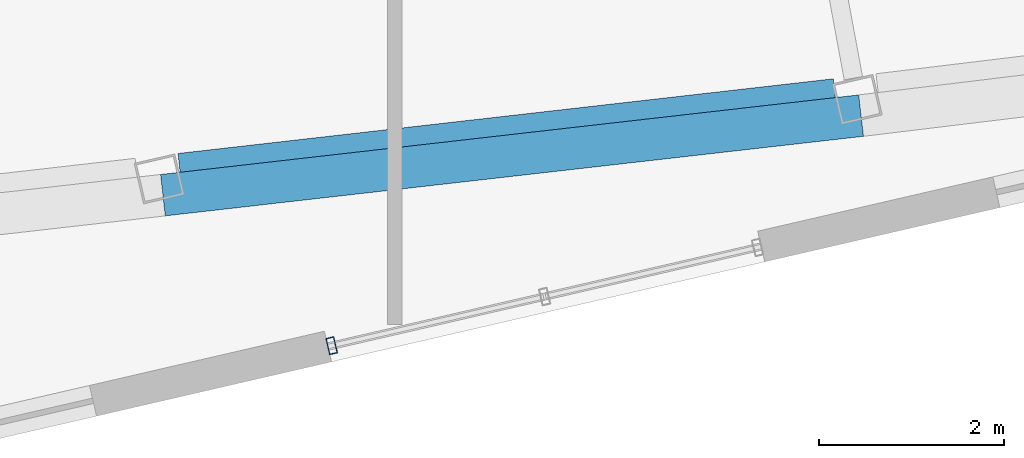
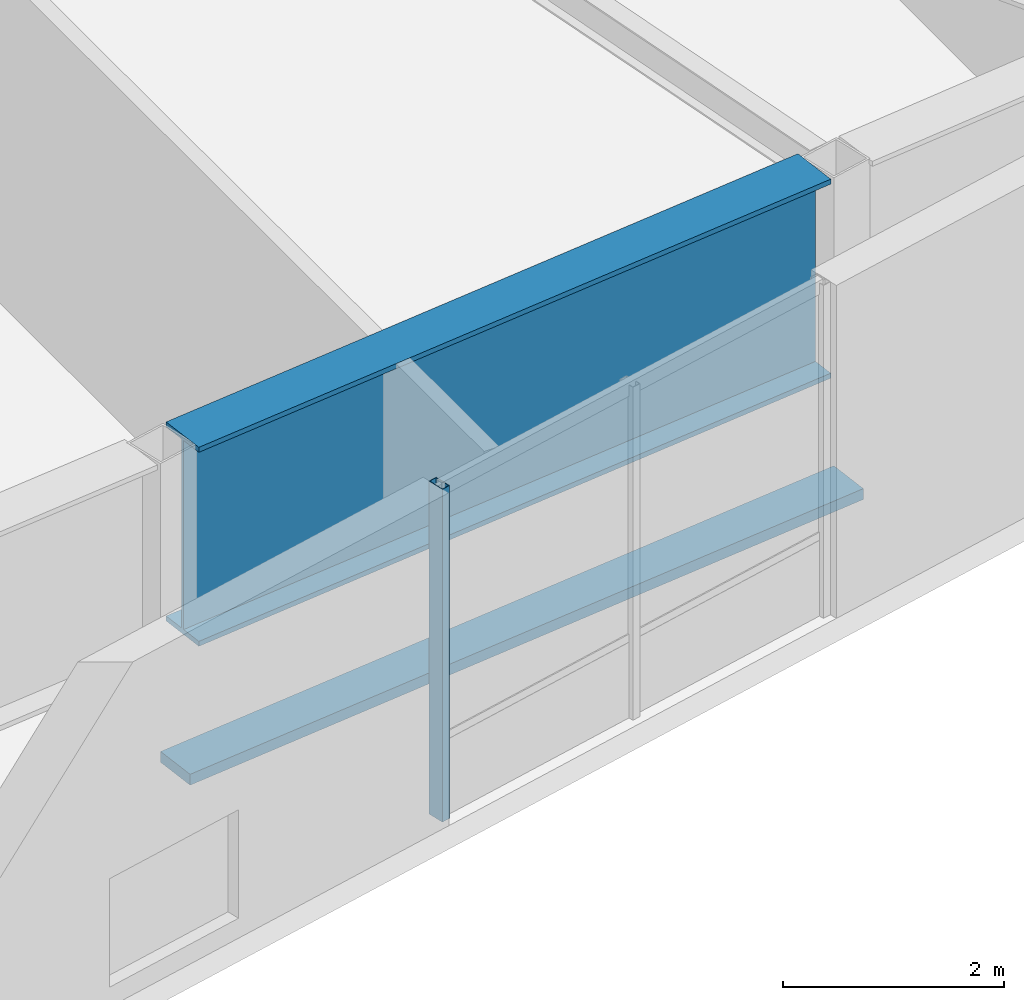
# One storey, part 5 of 23: 2 members, 1 beam, 1 element without a shape of its own.
"""IFC4 building model written with IfcOpenShell, lengths in metres."""

import ifcopenshell
import ifcopenshell.guid

model = None  # the IFC model being written
_history = None  # IfcOwnerHistory: only IFC2X3 demands one
_inside = {}  # id of a spatial element -> (the spatial element, [elements in it])
_under = {}  # id of a project, library or spatial element -> (it, [spatial elements below it])
_declared = {}  # id of a project -> (the project, [libraries it declares])
_typed = {}  # id of a type object -> (the type object, [elements of that type])
_made_of = {}  # id of a material, layer set ... -> (it, [elements and type objects made of it])


def new_model(schema):
    """Start an empty IFC model of exactly this schema.

    Asked for "IFC4X3", IfcOpenShell would pick the latest addendum, in which some entities
    have other attributes; the version numbers below select the first issue.
    IFC2X3 requires an IfcOwnerHistory on every rooted entity: one is made here for all.
    """
    global model, _history
    if schema == "IFC4X3":
        model = ifcopenshell.file(schema_version=(4, 3, 0, 0))
    else:
        model = ifcopenshell.file(schema=schema)
    _inside.clear()
    _under.clear()
    _declared.clear()
    _typed.clear()
    _made_of.clear()
    _history = None
    if model.schema == "IFC2X3":
        org = make("IfcOrganization", Name="unknown")
        user = make(
            "IfcPersonAndOrganization",
            ThePerson=make("IfcPerson", FamilyName="unknown"),
            TheOrganization=org,
        )
        app = make(
            "IfcApplication",
            ApplicationDeveloper=org,
            Version="unknown",
            ApplicationFullName="unknown",
            ApplicationIdentifier="unknown",
        )
        _history = make(
            "IfcOwnerHistory",
            OwningUser=user,
            OwningApplication=app,
            ChangeAction="ADDED",
            CreationDate=0,
        )
    return model


def make(cls, **values):
    """One entity of the class cls with the attributes given. An attribute that is None is left unset."""
    return model.create_entity(
        cls, **{name: value for name, value in values.items() if value is not None}
    )


def rooted(cls, **values):
    """An entity with a GlobalId (a new one), such as an element, a storey or a relation."""
    return make(cls, GlobalId=ifcopenshell.guid.new(), OwnerHistory=_history, **values)


def si_unit(unit_type, name, prefix=None):
    """IfcSIUnit, for example si_unit("LENGTHUNIT", "METRE", prefix="MILLI")."""
    return make("IfcSIUnit", UnitType=unit_type, Prefix=prefix, Name=name)


def assignment(units):
    """IfcUnitAssignment: the units of a project."""
    return None if units is None else make("IfcUnitAssignment", Units=units)


def point(xyz):
    """IfcCartesianPoint."""
    return None if xyz is None else make("IfcCartesianPoint", Coordinates=xyz)


def direction(xyz):
    """IfcDirection."""
    return None if xyz is None else make("IfcDirection", DirectionRatios=xyz)


def frame(location, z_axis=None, x_axis=None):
    """IfcAxis2Placement3D, a coordinate frame: its origin and axes. An axis left out is left unset."""
    return make(
        "IfcAxis2Placement3D",
        Location=point(location),
        Axis=direction(z_axis),
        RefDirection=direction(x_axis),
    )


def frame_2d(location, x_axis=None):
    """IfcAxis2Placement2D, a coordinate frame in the plane: its origin and x axis."""
    return make(
        "IfcAxis2Placement2D", Location=point(location), RefDirection=direction(x_axis)
    )


def origin():
    """The frame at (0, 0, 0) with its axes left unset."""
    return frame((0.0, 0.0, 0.0))


def origin_2d():
    """The frame at (0, 0) in the plane with its x axis left unset."""
    return frame_2d((0.0, 0.0))


def place(relative_to, where):
    """IfcLocalPlacement: puts the frame where relative to a parent placement (None: the world)."""
    return make(
        "IfcLocalPlacement", PlacementRelTo=relative_to, RelativePlacement=where
    )


def context(
    kind, dimensions, precision=None, world=None, true_north=None, identifier=None
):
    """IfcGeometricRepresentationContext, for example the 3D "Model" context."""
    return make(
        "IfcGeometricRepresentationContext",
        ContextIdentifier=identifier,
        ContextType=kind,
        CoordinateSpaceDimension=dimensions,
        Precision=precision,
        WorldCoordinateSystem=world,
        TrueNorth=true_north,
    )


def subcontext(parent, identifier, kind, view, scale=None):
    """IfcGeometricRepresentationSubContext, for example "Body" below "Model"."""
    return make(
        "IfcGeometricRepresentationSubContext",
        ContextIdentifier=identifier,
        ContextType=kind,
        ParentContext=parent,
        TargetScale=scale,
        TargetView=view,
    )


def project(units=None, contexts=None):
    """IfcProject with its units and contexts."""
    return rooted(
        "IfcProject",
        Name="project",
        RepresentationContexts=contexts,
        UnitsInContext=assignment(units),
    )


def spatial(cls, under=None, at=None, **own):
    """A site, building, storey or space (cls), placed at a placement, below another one or the project."""
    s = rooted(cls, ObjectPlacement=at, **own)
    if under is not None:
        _under.setdefault(under.id(), (under, []))[1].append(s)
    return s


def profile(cls, at=None, kind="AREA", **sizes):
    """A parametric profile (cls). Its sizes go by their IFC names, for example OverallWidth=200.0."""
    return make(cls, ProfileType=kind, Position=at, **sizes)


def rectangle(**sizes):
    """IfcRectangleProfileDef."""
    return profile("IfcRectangleProfileDef", **sizes)


def hollow_rectangle(**sizes):
    """IfcRectangleHollowProfileDef."""
    return profile("IfcRectangleHollowProfileDef", **sizes)


def i_section(**sizes):
    """IfcIShapeProfileDef."""
    return profile("IfcIShapeProfileDef", **sizes)


def extrude(swept, where, along, depth):
    """IfcExtrudedAreaSolid: the profile swept, set in the frame where, extruded along a direction by depth."""
    return make(
        "IfcExtrudedAreaSolid",
        SweptArea=swept,
        Position=where,
        ExtrudedDirection=direction(along),
        Depth=depth,
    )


def shape(context_of_items, identifier, shape_type, items):
    """IfcShapeRepresentation: the items that make up one representation, for example the "Body"."""
    return make(
        "IfcShapeRepresentation",
        ContextOfItems=context_of_items,
        RepresentationIdentifier=identifier,
        RepresentationType=shape_type,
        Items=items,
    )


def material(Name=None, Category=None):
    """IfcMaterial."""
    return make("IfcMaterial", Name=Name, Category=Category)


def layer(
    of_material, thickness, ventilated=None, Name=None, Category=None, Priority=None
):
    """IfcMaterialLayer: one layer of a wall or slab, of a material (None: an air gap)."""
    return make(
        "IfcMaterialLayer",
        Material=of_material,
        LayerThickness=thickness,
        IsVentilated=ventilated,
        Name=Name,
        Category=Category,
        Priority=Priority,
    )


def layer_set(layers, Name=None):
    """IfcMaterialLayerSet."""
    return make("IfcMaterialLayerSet", MaterialLayers=layers, LayerSetName=Name)


def material_profile(
    of_material, cross_section, Name=None, Category=None, Priority=None
):
    """IfcMaterialProfile: a cross section and its material."""
    return make(
        "IfcMaterialProfile",
        Name=Name,
        Material=of_material,
        Profile=cross_section,
        Priority=Priority,
        Category=Category,
    )


def profile_set(profiles, Name=None, composite=None):
    """IfcMaterialProfileSet."""
    return make(
        "IfcMaterialProfileSet",
        Name=Name,
        MaterialProfiles=profiles,
        CompositeProfile=composite,
    )


def made_of(thing, what):
    """Note that an element or type object is made of a material, layer set ...; save() writes the relation."""
    if what is not None:
        _made_of.setdefault(what.id(), (what, []))[1].append(thing)
    return thing


def type_object(cls, material=None, **own):
    """A type object (cls), such as IfcWallType, which elements share."""
    return made_of(rooted(cls, **own), material)


def element(
    cls,
    number,
    at=None,
    inside=None,
    cuts=None,
    type_object=None,
    material=None,
    context=None,
    identifier="Body",
    shape_type=None,
    held_by="IfcProductDefinitionShape",
    body=None,
    shapes=None,
    **own,
):
    """One element of the class cls, such as IfcWall. Its Tag is "e" and its number.

    at: its placement. inside: the storey or other place that contains it. cuts: it is an
    opening in that element (IfcRelVoidsElement). A single representation is given by context,
    identifier, shape_type and body (its items); several are given by shapes. held_by: the class
    of the entity that holds the representations. save() writes the other relations.
    """
    e = rooted(cls, Tag="e%d" % number, ObjectPlacement=at, **own)
    if body is not None:
        shapes = [shape(context, identifier, shape_type, body)]
    if shapes is not None:
        e.Representation = make(held_by, Representations=shapes)
    if inside is not None:
        _inside.setdefault(inside.id(), (inside, []))[1].append(e)
    if cuts is not None:
        rooted(
            "IfcRelVoidsElement", RelatingBuildingElement=cuts, RelatedOpeningElement=e
        )
    if type_object is not None:
        _typed.setdefault(type_object.id(), (type_object, []))[1].append(e)
    return made_of(e, material)


def aggregate(whole, parts):
    """IfcRelAggregates: a whole, such as a stair, and the parts it consists of."""
    return rooted("IfcRelAggregates", RelatingObject=whole, RelatedObjects=parts)


def save(model, path):
    """Write the relations noted so far, then the file.

    IfcRelAggregates (storeys below a building ...), IfcRelContainedInSpatialStructure (elements
    in a storey), IfcRelDefinesByType, IfcRelAssociatesMaterial and IfcRelDeclares: one each for
    every whole, place, type object, material and project.
    """
    for whole, parts in _under.values():
        aggregate(whole, parts)
    for where, things in _inside.values():
        rooted(
            "IfcRelContainedInSpatialStructure",
            RelatedElements=things,
            RelatingStructure=where,
        )
    for kind, things in _typed.values():
        rooted("IfcRelDefinesByType", RelatedObjects=things, RelatingType=kind)
    for what, things in _made_of.values():
        rooted("IfcRelAssociatesMaterial", RelatedObjects=things, RelatingMaterial=what)
    for by, libraries in _declared.values():
        rooted("IfcRelDeclares", RelatingContext=by, RelatedDefinitions=libraries)
    model.write(path)


model = new_model("IFC4")

# Units and contexts
model_context = context("Model", 3, precision=1e-05, world=origin(), true_north=direction((0.0, 1.0)))
body_context = subcontext(model_context, "Body", "Model", "MODEL_VIEW")
ifc_project = project(units=[si_unit("LENGTHUNIT", "METRE"), si_unit("AREAUNIT", "SQUARE_METRE"), si_unit("VOLUMEUNIT", "CUBIC_METRE"), si_unit("PLANEANGLEUNIT", "RADIAN"), si_unit("MASSUNIT", "GRAM", prefix="KILO")], contexts=[model_context])

# Site, building, storey
site_placement = place(None, origin())
site = spatial("IfcSite", under=ifc_project, at=site_placement, CompositionType="ELEMENT")
building_placement = place(site_placement, origin())
building = spatial("IfcBuilding", under=site, at=building_placement, Name="Tavrogorsk Clinical Tower", CompositionType="ELEMENT")
storey_placement = place(building_placement, frame((0.0, 0.0, 329.0)))
storey = spatial("IfcBuildingStorey", under=building, at=storey_placement, Name="L77", CompositionType="ELEMENT", Elevation=329.0)

# Member
ifc_material_1 = material(Name="Anodised aluminium alloy AW-6063", Category="aluminium")
ifc_material_profile_1 = material_profile(ifc_material_1, rectangle(XDim=0.449951171875, YDim=0.1201171875, at=origin_2d()), Name="ALU-SUNSHADE-450x120")
ifc_profile_set_1 = profile_set([ifc_material_profile_1], Name="Anodised aluminium alloy AW-6063")
member_type_1 = type_object("IfcMemberType", Name="ChicagoSunshade_450x120", PredefinedType="USERDEFINED", material=ifc_profile_set_1)
member_1_placement = place(storey_placement, frame((-8.75341796875, -24.343994140625, 0.179931640625), z_axis=(0.993568518474, 0.113232500178, 0.0), x_axis=(-0.113232500178, 0.993568518474, 0.0)))
element("IfcMember", 1, at=member_1_placement, inside=storey, type_object=member_type_1, Name="L77 South Aluminium Sunshade S3", ObjectType="SUNSHADE", PredefinedType="USERDEFINED", context=body_context, shape_type="SweptSolid", body=[
    extrude(rectangle(XDim=0.449951171875, YDim=0.1201171875, at=origin_2d()), origin(), (0.0, 0.0, 1.0), 7.585205078125),
])

# Curtain wall, member
ifc_material_2 = material(Name="Anodised aluminium and triple IGU glazing", Category="aluminium")
ifc_layer = layer(ifc_material_2, 0.179931640625)
ifc_layer_set = layer_set([ifc_layer], Name="Anodised aluminium and triple IGU glazing")
curtain_wall_type = type_object("IfcCurtainWallType", Name="CW3_SouthSlot", PredefinedType="NOTDEFINED", material=ifc_layer_set)
curtain_wall_placement = place(storey_placement, origin())
curtain_wall = element("IfcCurtainWall", 2, at=curtain_wall_placement, inside=storey, type_object=curtain_wall_type, Name="L77 Curtain Wall CW-L77-S-SLOT-1", PredefinedType="NOTDEFINED")
ifc_material_3 = material(Name="Anodised aluminium alloy AW-6060", Category="aluminium")
ifc_material_profile_2 = material_profile(ifc_material_3, hollow_rectangle(XDim=0.090087890625, YDim=0.179931640625, WallThickness=0.00634765625, at=origin_2d()), Name="RHS-180x90x6.3")
ifc_profile_set_2 = profile_set([ifc_material_profile_2], Name="Anodised aluminium alloy AW-6060")
member_type_2 = type_object("IfcMemberType", Name="CwMullion_180x90", PredefinedType="MULLION", material=ifc_profile_set_2)
member_2_placement = place(storey_placement, frame((-6.93212890625, -25.968994140625, 0.0), z_axis=(0.0, 0.0, 1.0), x_axis=(0.974370057377, 0.224951086434, 0.0)))
member_2 = element("IfcMember", 3, at=member_2_placement, type_object=member_type_2, Name="CW-L77-S-SLOT-1 Mullion 1", PredefinedType="MULLION", context=body_context, shape_type="SweptSolid", body=[
    extrude(hollow_rectangle(XDim=0.090087890625, YDim=0.179931640625, WallThickness=0.00634765625, at=origin_2d()), origin(), (0.0, 0.0, 1.0), 3.679931640625),
])
aggregate(curtain_wall, [member_2])

# Beam
ifc_material_4 = material(Name="Structural steel S440", Category="steel")
ifc_material_profile_3 = material_profile(ifc_material_4, i_section(OverallWidth=0.5, OverallDepth=2.199951171875, WebThickness=0.035888671875, FlangeThickness=0.054931640625, at=origin_2d()), Name="DK-2200x500x36x55")
ifc_profile_set_3 = profile_set([ifc_material_profile_3], Name="Structural steel S440")
beam_type = type_object("IfcBeamType", Name="TransferGirder_DK2200", PredefinedType="USERDEFINED", material=ifc_profile_set_3)
beam_placement = place(storey_placement, frame((-8.5625, -24.14208984375, 2.580078125), z_axis=(0.993572073137, 0.113201305126, 0.0), x_axis=(-0.113201305126, 0.993572073137, 0.0)))
element("IfcBeam", 4, at=beam_placement, inside=storey, type_object=beam_type, Name="L77 Perimeter Spandrel S3-S4", ObjectType="GIRDER", PredefinedType="USERDEFINED", context=body_context, shape_type="SweptSolid", body=[
    extrude(i_section(OverallWidth=0.5, OverallDepth=2.199951171875, WebThickness=0.035888671875, FlangeThickness=0.054931640625, at=origin_2d()), origin(), (0.0, 0.0, 1.0), 7.119140625),
])

save(model, "model.ifc")
